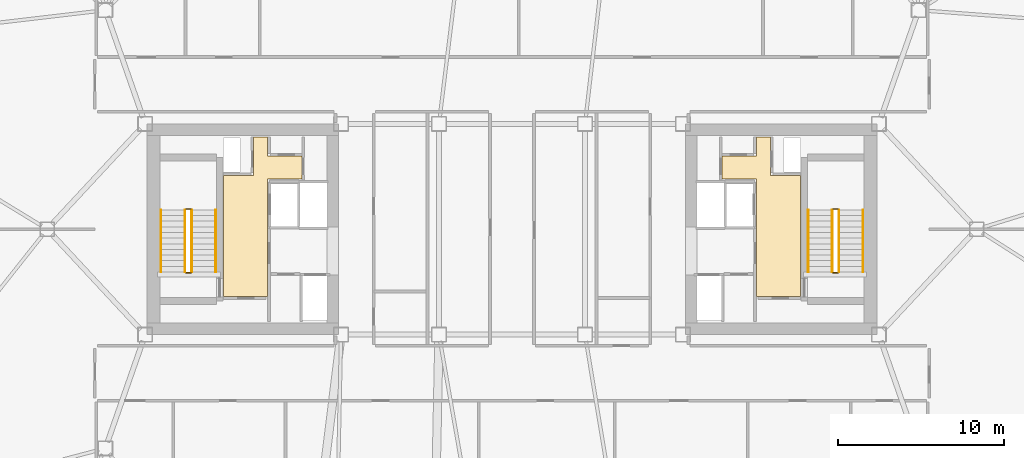
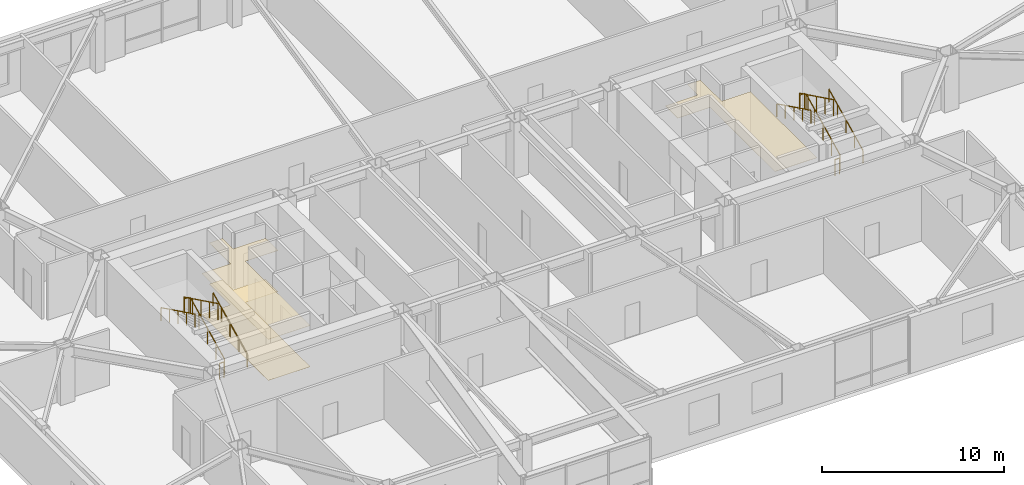
# One storey, part 19 of 19: 12 railings, 3 coverings.
"""IFC4 building model written with IfcOpenShell, lengths in metres."""

from ifc_helpers import new_model, si_unit, direction, frame, origin, origin_2d, place, context, subcontext, project, spatial, polyline, rectangle, outline, extrude, material, layer, layer_set, type_object, element, save


model = new_model("IFC4")

# Units and contexts
model_context = context("Model", 3, precision=1e-05, world=origin(), true_north=direction((0.0, 1.0)))
body_context = subcontext(model_context, "Body", "Model", "MODEL_VIEW")
ifc_project = project(units=[si_unit("LENGTHUNIT", "METRE"), si_unit("AREAUNIT", "SQUARE_METRE"), si_unit("VOLUMEUNIT", "CUBIC_METRE"), si_unit("PLANEANGLEUNIT", "RADIAN"), si_unit("MASSUNIT", "GRAM", prefix="KILO")], contexts=[model_context])

# Site, building, storey
site_placement = place(None, origin())
site = spatial("IfcSite", under=ifc_project, at=site_placement, CompositionType="ELEMENT")
building_placement = place(site_placement, origin())
building = spatial("IfcBuilding", under=site, at=building_placement, Name="Tavrogorsk Clinical Tower", CompositionType="ELEMENT")
storey_placement = place(building_placement, frame((0.0, 0.0, 156.199951171875)))
storey = spatial("IfcBuildingStorey", under=building, at=storey_placement, Name="L35", CompositionType="ELEMENT", Elevation=156.199951171875)

# Coverings
ifc_material_1 = material(Name="Antibacterial micro-perforated aluminium ceiling", Category="aluminium")
ifc_layer_1 = layer(ifc_material_1, 0.014892578125)
ifc_layer_set_1 = layer_set([ifc_layer_1], Name="Antibacterial micro-perforated aluminium ceiling")
covering_type_1 = type_object("IfcCoveringType", Name="ClinicalCeiling_15", PredefinedType="CEILING", material=ifc_layer_set_1)
covering_1_placement = place(storey_placement, frame((0.0, 0.0, 2.75)))
element("IfcCovering", 1, at=covering_1_placement, inside=storey, type_object=covering_type_1, Name="Core West Firefighting Lift Lobby Acoustic Ceiling", PredefinedType="CEILING", context=body_context, shape_type="SweptSolid", body=[
    extrude(outline(polyline([(-17.3798828125, -4.06005859375), (-17.3798828125, 3.239990234375), (-15.56005859375, 3.239990234375), (-15.56005859375, 5.56005859375), (-14.719970703125, 5.56005859375), (-14.719970703125, 4.39990234375), (-12.659912109375, 4.39990234375), (-12.659912109375, 3.0400390625), (-14.719970703125, 3.0400390625), (-14.719970703125, -4.06005859375), (-17.3798828125, -4.06005859375)])), origin(), (0.0, 0.0, 1.0), 0.01513671875),
])
covering_2_placement = place(storey_placement, frame((0.0, 0.0, 2.75)))
element("IfcCovering", 2, at=covering_2_placement, inside=storey, type_object=covering_type_1, Name="Core East Firefighting Lift Lobby Acoustic Ceiling", PredefinedType="CEILING", context=body_context, shape_type="SweptSolid", body=[
    extrude(outline(polyline([(14.719970703125, 3.0400390625), (12.659912109375, 3.0400390625), (12.659912109375, 4.39990234375), (14.719970703125, 4.39990234375), (14.719970703125, 5.56005859375), (15.56005859375, 5.56005859375), (15.56005859375, 3.239990234375), (17.3798828125, 3.239990234375), (17.3798828125, -4.06005859375), (14.719970703125, -4.06005859375), (14.719970703125, 3.0400390625)])), origin(), (0.0, 0.0, 1.0), 0.01513671875),
])
ifc_material_2 = material(Name="Homogeneous medical conductive PVC flooring")
ifc_layer_2 = layer(ifc_material_2, 0.008056640625)
ifc_layer_set_2 = layer_set([ifc_layer_2], Name="Homogeneous medical conductive PVC flooring")
covering_type_2 = type_object("IfcCoveringType", Name="ResilientVinylFloor_8", PredefinedType="FLOORING", material=ifc_layer_set_2)
covering_3_placement = place(storey_placement, origin())
element("IfcCovering", 3, at=covering_3_placement, inside=storey, type_object=covering_type_2, Name="Core West Firefighting Lift Lobby Conductive Vinyl Flooring", PredefinedType="FLOORING", context=body_context, shape_type="SweptSolid", body=[
    extrude(outline(polyline([(-17.3798828125, -4.06005859375), (-17.3798828125, 3.239990234375), (-15.56005859375, 3.239990234375), (-15.56005859375, 5.56005859375), (-14.719970703125, 5.56005859375), (-14.719970703125, 4.39990234375), (-12.659912109375, 4.39990234375), (-12.659912109375, 3.0400390625), (-14.719970703125, 3.0400390625), (-14.719970703125, -4.06005859375), (-17.3798828125, -4.06005859375)])), origin(), (0.0, 0.0, 1.0), 0.008056640625),
])

# Railings
ifc_material_3 = material(Name="Galvanised steel S355 safety stairwell guard", Category="steel")
ifc_layer_3 = layer(ifc_material_3, 0.06005859375)
ifc_layer_set_3 = layer_set([ifc_layer_3], Name="Galvanised steel S355 safety stairwell guard")
railing_type_1 = type_object("IfcRailingType", Name="StairGuard_1150", PredefinedType="GUARDRAIL", material=ifc_layer_set_3)
railing_1_placement = place(storey_placement, frame((-19.300048828125, -2.574951171875, 0.166748046875)))
element("IfcRailing", 4, at=railing_1_placement, inside=storey, type_object=railing_type_1, Name="L35 ST-W stair guard 1", PredefinedType="GUARDRAIL", context=body_context, shape_type="SweptSolid", body=[
    extrude(rectangle(XDim=0.048095703125, YDim=0.048095703125, at=origin_2d()), frame((0.0, 0.0, 1.076171875), z_axis=(0.0, 0.897927990467, 0.440142390523), x_axis=(-1.0, 0.0, 0.0)), (0.0, 0.0, 1.0), 4.1650390625),
    extrude(rectangle(XDim=0.0419921875, YDim=0.0419921875, at=origin_2d()), origin(), (0.0, 0.0, 1.0), 1.052001953125),
    extrude(rectangle(XDim=0.0419921875, YDim=0.0419921875, at=origin_2d()), frame((0.0, 0.93505859375, 0.458251953125)), (0.0, 0.0, 1.0), 1.052001953125),
    extrude(rectangle(XDim=0.0419921875, YDim=0.0419921875, at=origin_2d()), frame((0.0, 1.8701171875, 0.91650390625)), (0.0, 0.0, 1.0), 1.052001953125),
    extrude(rectangle(XDim=0.0419921875, YDim=0.0419921875, at=origin_2d()), frame((0.0, 2.804931640625, 1.375)), (0.0, 0.0, 1.0), 1.052001953125),
    extrude(rectangle(XDim=0.0419921875, YDim=0.0419921875, at=origin_2d()), frame((0.0, 3.739990234375, 1.833251953125)), (0.0, 0.0, 1.0), 1.052001953125),
])
railing_2_placement = place(storey_placement, frame((-19.35009765625, 1.215087890625, 2.0)))
element("IfcRailing", 5, at=railing_2_placement, inside=storey, type_object=railing_type_1, Name="L35 ST-W stair guard 2", PredefinedType="GUARDRAIL", context=body_context, shape_type="SweptSolid", body=[
    extrude(rectangle(XDim=0.048095703125, YDim=0.048095703125, at=origin_2d()), frame((0.0, 0.0, 1.076171875), z_axis=(-1.0, 0.0, 0.0), x_axis=(0.0, -1.0, 0.0)), (0.0, 0.0, 1.0), 0.2998046875),
    extrude(rectangle(XDim=0.0419921875, YDim=0.0419921875, at=origin_2d()), origin(), (0.0, 0.0, 1.0), 1.052001953125),
    extrude(rectangle(XDim=0.0419921875, YDim=0.0419921875, at=origin_2d()), frame((-0.2998046875, 0.0, 0.0)), (0.0, 0.0, 1.0), 1.052001953125),
])
railing_3_placement = place(storey_placement, frame((-19.699951171875, 1.1650390625, 2.166748046875)))
element("IfcRailing", 6, at=railing_3_placement, inside=storey, type_object=railing_type_1, Name="L35 ST-W stair guard 3", PredefinedType="GUARDRAIL", context=body_context, shape_type="SweptSolid", body=[
    extrude(rectangle(XDim=0.048095703125, YDim=0.048095703125, at=origin_2d()), frame((0.0, 0.0, 1.076171875), z_axis=(0.0, -0.897927990467, 0.440142390523), x_axis=(1.0, 0.0, 0.0)), (0.0, 0.0, 1.0), 4.1650390625),
    extrude(rectangle(XDim=0.0419921875, YDim=0.0419921875, at=origin_2d()), origin(), (0.0, 0.0, 1.0), 1.052001953125),
    extrude(rectangle(XDim=0.0419921875, YDim=0.0419921875, at=origin_2d()), frame((0.0, -0.93505859375, 0.458251953125)), (0.0, 0.0, 1.0), 1.052001953125),
    extrude(rectangle(XDim=0.0419921875, YDim=0.0419921875, at=origin_2d()), frame((0.0, -1.8701171875, 0.91650390625)), (0.0, 0.0, 1.0), 1.052001953125),
    extrude(rectangle(XDim=0.0419921875, YDim=0.0419921875, at=origin_2d()), frame((0.0, -2.804931640625, 1.375)), (0.0, 0.0, 1.0), 1.052001953125),
    extrude(rectangle(XDim=0.0419921875, YDim=0.0419921875, at=origin_2d()), frame((0.0, -3.739990234375, 1.833251953125)), (0.0, 0.0, 1.0), 1.052001953125),
])
railing_4_placement = place(storey_placement, frame((-19.35009765625, -2.625, 0.0)))
element("IfcRailing", 7, at=railing_4_placement, inside=storey, type_object=railing_type_1, Name="L35 ST-W stair guard 4", PredefinedType="GUARDRAIL", context=body_context, shape_type="SweptSolid", body=[
    extrude(rectangle(XDim=0.048095703125, YDim=0.048095703125, at=origin_2d()), frame((0.0, 0.0, 1.076171875), z_axis=(-1.0, 0.0, 0.0), x_axis=(0.0, -1.0, 0.0)), (0.0, 0.0, 1.0), 0.2998046875),
    extrude(rectangle(XDim=0.0419921875, YDim=0.0419921875, at=origin_2d()), origin(), (0.0, 0.0, 1.0), 1.052001953125),
    extrude(rectangle(XDim=0.0419921875, YDim=0.0419921875, at=origin_2d()), frame((-0.2998046875, 0.0, 0.0)), (0.0, 0.0, 1.0), 1.052001953125),
])
railing_5_placement = place(storey_placement, frame((19.699951171875, -2.574951171875, 0.166748046875)))
element("IfcRailing", 8, at=railing_5_placement, inside=storey, type_object=railing_type_1, Name="L35 ST-E stair guard 1", PredefinedType="GUARDRAIL", context=body_context, shape_type="SweptSolid", body=[
    extrude(rectangle(XDim=0.048095703125, YDim=0.048095703125, at=origin_2d()), frame((0.0, 0.0, 1.076171875), z_axis=(0.0, 0.897927990467, 0.440142390523), x_axis=(-1.0, 0.0, 0.0)), (0.0, 0.0, 1.0), 4.1650390625),
    extrude(rectangle(XDim=0.0419921875, YDim=0.0419921875, at=origin_2d()), origin(), (0.0, 0.0, 1.0), 1.052001953125),
    extrude(rectangle(XDim=0.0419921875, YDim=0.0419921875, at=origin_2d()), frame((0.0, 0.93505859375, 0.458251953125)), (0.0, 0.0, 1.0), 1.052001953125),
    extrude(rectangle(XDim=0.0419921875, YDim=0.0419921875, at=origin_2d()), frame((0.0, 1.8701171875, 0.91650390625)), (0.0, 0.0, 1.0), 1.052001953125),
    extrude(rectangle(XDim=0.0419921875, YDim=0.0419921875, at=origin_2d()), frame((0.0, 2.804931640625, 1.375)), (0.0, 0.0, 1.0), 1.052001953125),
    extrude(rectangle(XDim=0.0419921875, YDim=0.0419921875, at=origin_2d()), frame((0.0, 3.739990234375, 1.833251953125)), (0.0, 0.0, 1.0), 1.052001953125),
])
railing_6_placement = place(storey_placement, frame((19.64990234375, 1.215087890625, 2.0)))
element("IfcRailing", 9, at=railing_6_placement, inside=storey, type_object=railing_type_1, Name="L35 ST-E stair guard 2", PredefinedType="GUARDRAIL", context=body_context, shape_type="SweptSolid", body=[
    extrude(rectangle(XDim=0.048095703125, YDim=0.048095703125, at=origin_2d()), frame((0.0, 0.0, 1.076171875), z_axis=(-1.0, 0.0, 0.0), x_axis=(0.0, -1.0, 0.0)), (0.0, 0.0, 1.0), 0.2998046875),
    extrude(rectangle(XDim=0.0419921875, YDim=0.0419921875, at=origin_2d()), origin(), (0.0, 0.0, 1.0), 1.052001953125),
    extrude(rectangle(XDim=0.0419921875, YDim=0.0419921875, at=origin_2d()), frame((-0.2998046875, 0.0, 0.0)), (0.0, 0.0, 1.0), 1.052001953125),
])
railing_7_placement = place(storey_placement, frame((19.300048828125, 1.1650390625, 2.166748046875)))
element("IfcRailing", 10, at=railing_7_placement, inside=storey, type_object=railing_type_1, Name="L35 ST-E stair guard 3", PredefinedType="GUARDRAIL", context=body_context, shape_type="SweptSolid", body=[
    extrude(rectangle(XDim=0.048095703125, YDim=0.048095703125, at=origin_2d()), frame((0.0, 0.0, 1.076171875), z_axis=(0.0, -0.897927990467, 0.440142390523), x_axis=(1.0, 0.0, 0.0)), (0.0, 0.0, 1.0), 4.1650390625),
    extrude(rectangle(XDim=0.0419921875, YDim=0.0419921875, at=origin_2d()), origin(), (0.0, 0.0, 1.0), 1.052001953125),
    extrude(rectangle(XDim=0.0419921875, YDim=0.0419921875, at=origin_2d()), frame((0.0, -0.93505859375, 0.458251953125)), (0.0, 0.0, 1.0), 1.052001953125),
    extrude(rectangle(XDim=0.0419921875, YDim=0.0419921875, at=origin_2d()), frame((0.0, -1.8701171875, 0.91650390625)), (0.0, 0.0, 1.0), 1.052001953125),
    extrude(rectangle(XDim=0.0419921875, YDim=0.0419921875, at=origin_2d()), frame((0.0, -2.804931640625, 1.375)), (0.0, 0.0, 1.0), 1.052001953125),
    extrude(rectangle(XDim=0.0419921875, YDim=0.0419921875, at=origin_2d()), frame((0.0, -3.739990234375, 1.833251953125)), (0.0, 0.0, 1.0), 1.052001953125),
])
railing_8_placement = place(storey_placement, frame((19.64990234375, -2.625, 0.0)))
element("IfcRailing", 11, at=railing_8_placement, inside=storey, type_object=railing_type_1, Name="L35 ST-E stair guard 4", PredefinedType="GUARDRAIL", context=body_context, shape_type="SweptSolid", body=[
    extrude(rectangle(XDim=0.048095703125, YDim=0.048095703125, at=origin_2d()), frame((0.0, 0.0, 1.076171875), z_axis=(-1.0, 0.0, 0.0), x_axis=(0.0, -1.0, 0.0)), (0.0, 0.0, 1.0), 0.2998046875),
    extrude(rectangle(XDim=0.0419921875, YDim=0.0419921875, at=origin_2d()), origin(), (0.0, 0.0, 1.0), 1.052001953125),
    extrude(rectangle(XDim=0.0419921875, YDim=0.0419921875, at=origin_2d()), frame((-0.2998046875, 0.0, 0.0)), (0.0, 0.0, 1.0), 1.052001953125),
])
ifc_material_4 = material(Name="Stainless steel AISI 304 tubular handrail", Category="steel")
ifc_layer_4 = layer(ifc_material_4, 0.050048828125)
ifc_layer_set_4 = layer_set([ifc_layer_4], Name="Stainless steel AISI 304 tubular handrail")
railing_type_2 = type_object("IfcRailingType", Name="StairHandrail_920", PredefinedType="HANDRAIL", material=ifc_layer_set_4)
railing_9_placement = place(storey_placement, frame((-17.85009765625, -2.574951171875, 0.166748046875)))
element("IfcRailing", 12, at=railing_9_placement, inside=storey, type_object=railing_type_2, Name="L35 ST-W stair handrail 1", PredefinedType="HANDRAIL", context=body_context, shape_type="SweptSolid", body=[
    extrude(rectangle(XDim=0.048095703125, YDim=0.048095703125, at=origin_2d()), frame((0.0, 0.0, 0.8759765625), z_axis=(0.0, 0.897927990467, 0.440142390523), x_axis=(-1.0, 0.0, 0.0)), (0.0, 0.0, 1.0), 4.1650390625),
    extrude(rectangle(XDim=0.0419921875, YDim=0.0419921875, at=origin_2d()), origin(), (0.0, 0.0, 1.0), 0.851806640625),
    extrude(rectangle(XDim=0.0419921875, YDim=0.0419921875, at=origin_2d()), frame((0.0, 0.93505859375, 0.458251953125)), (0.0, 0.0, 1.0), 0.851806640625),
    extrude(rectangle(XDim=0.0419921875, YDim=0.0419921875, at=origin_2d()), frame((0.0, 1.8701171875, 0.91650390625)), (0.0, 0.0, 1.0), 0.851806640625),
    extrude(rectangle(XDim=0.0419921875, YDim=0.0419921875, at=origin_2d()), frame((0.0, 2.804931640625, 1.375)), (0.0, 0.0, 1.0), 0.851806640625),
    extrude(rectangle(XDim=0.0419921875, YDim=0.0419921875, at=origin_2d()), frame((0.0, 3.739990234375, 1.833251953125)), (0.0, 0.0, 1.0), 0.851806640625),
])
railing_10_placement = place(storey_placement, frame((-21.14990234375, 1.1650390625, 2.166748046875)))
element("IfcRailing", 13, at=railing_10_placement, inside=storey, type_object=railing_type_2, Name="L35 ST-W stair handrail 2", PredefinedType="HANDRAIL", context=body_context, shape_type="SweptSolid", body=[
    extrude(rectangle(XDim=0.048095703125, YDim=0.048095703125, at=origin_2d()), frame((0.0, 0.0, 0.8759765625), z_axis=(0.0, -0.897927990467, 0.440142390523), x_axis=(1.0, 0.0, 0.0)), (0.0, 0.0, 1.0), 4.1650390625),
    extrude(rectangle(XDim=0.0419921875, YDim=0.0419921875, at=origin_2d()), origin(), (0.0, 0.0, 1.0), 0.851806640625),
    extrude(rectangle(XDim=0.0419921875, YDim=0.0419921875, at=origin_2d()), frame((0.0, -0.93505859375, 0.458251953125)), (0.0, 0.0, 1.0), 0.851806640625),
    extrude(rectangle(XDim=0.0419921875, YDim=0.0419921875, at=origin_2d()), frame((0.0, -1.8701171875, 0.91650390625)), (0.0, 0.0, 1.0), 0.851806640625),
    extrude(rectangle(XDim=0.0419921875, YDim=0.0419921875, at=origin_2d()), frame((0.0, -2.804931640625, 1.375)), (0.0, 0.0, 1.0), 0.851806640625),
    extrude(rectangle(XDim=0.0419921875, YDim=0.0419921875, at=origin_2d()), frame((0.0, -3.739990234375, 1.833251953125)), (0.0, 0.0, 1.0), 0.851806640625),
])
railing_11_placement = place(storey_placement, frame((21.14990234375, -2.574951171875, 0.166748046875)))
element("IfcRailing", 14, at=railing_11_placement, inside=storey, type_object=railing_type_2, Name="L35 ST-E stair handrail 1", PredefinedType="HANDRAIL", context=body_context, shape_type="SweptSolid", body=[
    extrude(rectangle(XDim=0.048095703125, YDim=0.048095703125, at=origin_2d()), frame((0.0, 0.0, 0.8759765625), z_axis=(0.0, 0.897927990467, 0.440142390523), x_axis=(-1.0, 0.0, 0.0)), (0.0, 0.0, 1.0), 4.1650390625),
    extrude(rectangle(XDim=0.0419921875, YDim=0.0419921875, at=origin_2d()), origin(), (0.0, 0.0, 1.0), 0.851806640625),
    extrude(rectangle(XDim=0.0419921875, YDim=0.0419921875, at=origin_2d()), frame((0.0, 0.93505859375, 0.458251953125)), (0.0, 0.0, 1.0), 0.851806640625),
    extrude(rectangle(XDim=0.0419921875, YDim=0.0419921875, at=origin_2d()), frame((0.0, 1.8701171875, 0.91650390625)), (0.0, 0.0, 1.0), 0.851806640625),
    extrude(rectangle(XDim=0.0419921875, YDim=0.0419921875, at=origin_2d()), frame((0.0, 2.804931640625, 1.375)), (0.0, 0.0, 1.0), 0.851806640625),
    extrude(rectangle(XDim=0.0419921875, YDim=0.0419921875, at=origin_2d()), frame((0.0, 3.739990234375, 1.833251953125)), (0.0, 0.0, 1.0), 0.851806640625),
])
railing_12_placement = place(storey_placement, frame((17.85009765625, 1.1650390625, 2.166748046875)))
element("IfcRailing", 15, at=railing_12_placement, inside=storey, type_object=railing_type_2, Name="L35 ST-E stair handrail 2", PredefinedType="HANDRAIL", context=body_context, shape_type="SweptSolid", body=[
    extrude(rectangle(XDim=0.048095703125, YDim=0.048095703125, at=origin_2d()), frame((0.0, 0.0, 0.8759765625), z_axis=(0.0, -0.897927990467, 0.440142390523), x_axis=(1.0, 0.0, 0.0)), (0.0, 0.0, 1.0), 4.1650390625),
    extrude(rectangle(XDim=0.0419921875, YDim=0.0419921875, at=origin_2d()), origin(), (0.0, 0.0, 1.0), 0.851806640625),
    extrude(rectangle(XDim=0.0419921875, YDim=0.0419921875, at=origin_2d()), frame((0.0, -0.93505859375, 0.458251953125)), (0.0, 0.0, 1.0), 0.851806640625),
    extrude(rectangle(XDim=0.0419921875, YDim=0.0419921875, at=origin_2d()), frame((0.0, -1.8701171875, 0.91650390625)), (0.0, 0.0, 1.0), 0.851806640625),
    extrude(rectangle(XDim=0.0419921875, YDim=0.0419921875, at=origin_2d()), frame((0.0, -2.804931640625, 1.375)), (0.0, 0.0, 1.0), 0.851806640625),
    extrude(rectangle(XDim=0.0419921875, YDim=0.0419921875, at=origin_2d()), frame((0.0, -3.739990234375, 1.833251953125)), (0.0, 0.0, 1.0), 0.851806640625),
])

save(model, "model.ifc")
